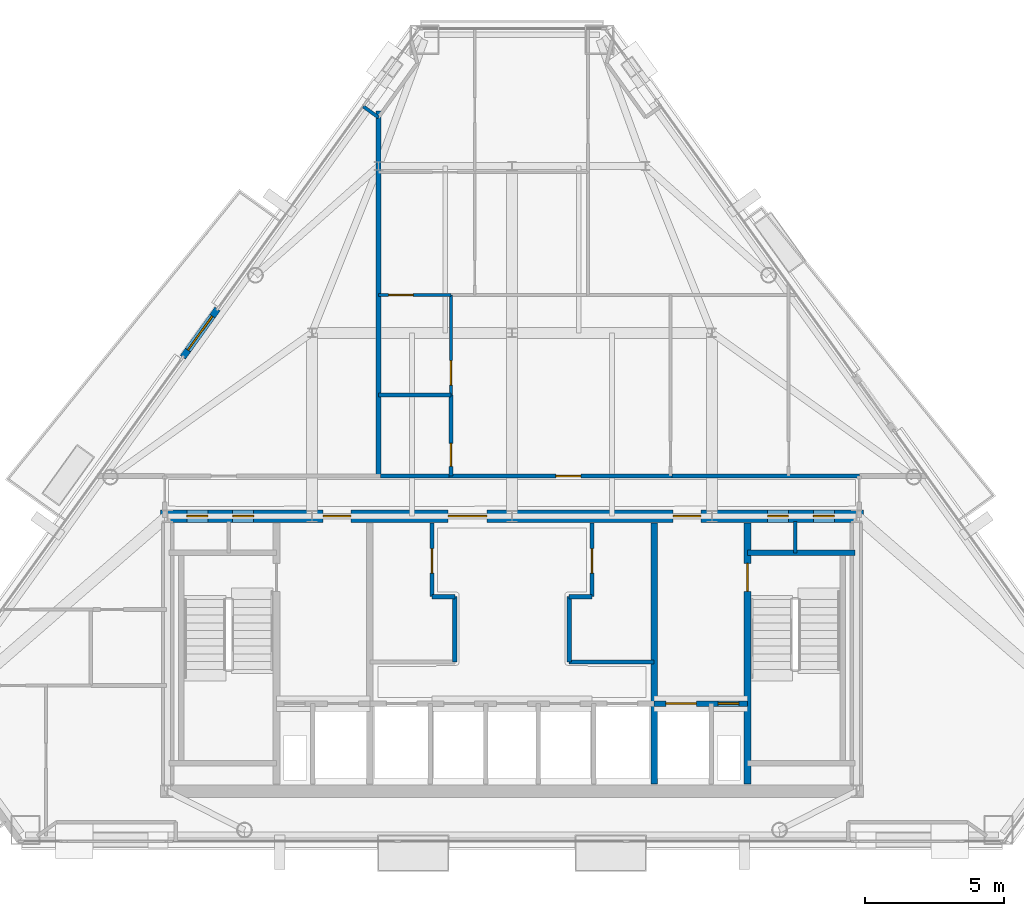
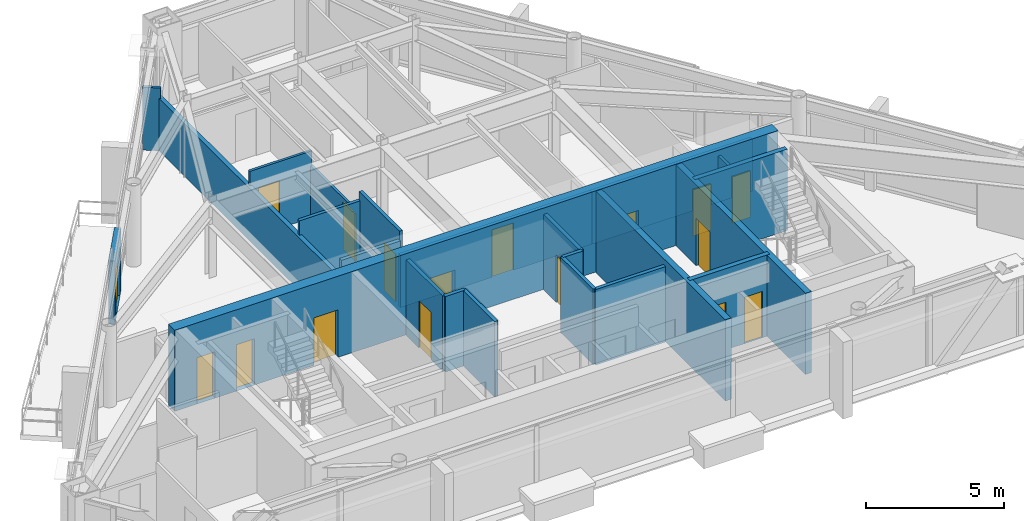
# One storey, part 8 of 11: 23 walls, 17 doors, 17 openings.
"""IFC4 building model written with IfcOpenShell, lengths in metres."""

from ifc_helpers import new_model, si_unit, direction, frame, frame_2d, origin, place, context, subcontext, project, spatial, rectangle, extrude, material, layer, layer_set, type_object, element, fill, save


model = new_model("IFC4")

# Units and contexts
model_context = context("Model", 3, precision=1e-05, world=origin(), true_north=direction((0.0, 1.0)))
body_context = subcontext(model_context, "Body", "Model", "MODEL_VIEW")
ifc_project = project(units=[si_unit("LENGTHUNIT", "METRE"), si_unit("AREAUNIT", "SQUARE_METRE"), si_unit("VOLUMEUNIT", "CUBIC_METRE"), si_unit("PLANEANGLEUNIT", "RADIAN"), si_unit("MASSUNIT", "GRAM", prefix="KILO")], contexts=[model_context])

# Site, building, storey
site_placement = place(None, origin())
site = spatial("IfcSite", under=ifc_project, at=site_placement, CompositionType="ELEMENT")
building_placement = place(site_placement, origin())
building = spatial("IfcBuilding", under=site, at=building_placement, Name="Talgorran Terracotta Tower", CompositionType="ELEMENT")
storey_placement = place(building_placement, frame((0.0, 0.0, 203.699951171875)))
storey = spatial("IfcBuildingStorey", under=building, at=storey_placement, Name="L53", CompositionType="ELEMENT", Elevation=203.699951171875)

# Wall, opening, door
ifc_material_1 = material(Name="Concrete C40/50", Category="concrete")
ifc_layer_1 = layer(ifc_material_1, 0.239990234375, Name="WT_BALCONY_SPAND")
ifc_layer_set_1 = layer_set([ifc_layer_1], Name="Concrete C40/50")
wall_type_1 = type_object("IfcWallType", Name="WT_BALCONY_SPAND", PredefinedType="STANDARD", material=ifc_layer_set_1)
wall_1_placement = place(storey_placement, frame((-10.60107421875, 3.2587890625, -0.014892578125), z_axis=(0.0, 0.0, 1.0), x_axis=(-0.583556118157, -0.812072815061, 0.0)))
wall_1 = element("IfcWall", 1, at=wall_1_placement, inside=storey, type_object=wall_type_1, Name="WL-L53-BALP-BAL-NW", PredefinedType="STANDARD", context=body_context, shape_type="SweptSolid", body=[
    extrude(rectangle(XDim=2.139892578125, YDim=0.239990234375, at=frame_2d((1.06982421875, 0.0))), origin(), (0.0, 0.0, 1.0), 2.802001953125),
])
opening_1_placement = place(wall_1_placement, frame((0.320068359375, 0.0, 0.014892578125)))
opening_1 = element("IfcOpeningElement", 2, at=opening_1_placement, cuts=wall_1, Name="Opening D-BAL-L53-2", PredefinedType="OPENING", context=body_context, shape_type="SweptSolid", body=[
    extrude(rectangle(XDim=1.506, YDim=2.203951171875, at=frame_2d((0.75, 1.10205078125))), frame((0.0, 0.1298828125, 0.0), z_axis=(0.0, -1.0, 0.0), x_axis=(1.0, 0.0, 0.0)), (0.0, 0.0, 1.0), 0.260009765625),
])
ifc_material_2 = material(Name="Thermally Broken Aluminium", Category="aluminium")
door_type_1 = type_object("IfcDoorType", Name="DT_BALC_1500", OperationType="SLIDING_TO_RIGHT", PredefinedType="DOOR", material=ifc_material_2)
door_1_placement = place(opening_1_placement, origin())
door_1 = element("IfcDoor", 3, at=door_1_placement, inside=storey, type_object=door_type_1, Name="DR-L53-BAL-BAL-NW", OperationType="SLIDING_TO_RIGHT", OverallHeight=2.199951171875, OverallWidth=1.5, PredefinedType="DOOR", context=body_context, shape_type="SweptSolid", body=[
    extrude(rectangle(XDim=1.5, YDim=2.199951171875, at=frame_2d((0.75, 1.10009765625))), frame((0.0, 0.02490234375, 0.0), z_axis=(0.0, -1.0, 0.0), x_axis=(1.0, 0.0, 0.0)), (0.0, 0.0, 1.0), 0.050048828125),
])
fill(opening_1, door_1)

# Wall
ifc_material_3 = material(Name="Concrete C50/60", Category="concrete")
ifc_layer_2 = layer(ifc_material_3, 0.199951171875, Name="WT_CORE_200")
ifc_layer_set_2 = layer_set([ifc_layer_2], Name="Concrete C50/60")
wall_type_2 = type_object("IfcWallType", Name="WT_CORE_200", PredefinedType="SOLIDWALL", material=ifc_layer_set_2)
wall_2_placement = place(storey_placement, frame((8.47998046875, -5.52001953125, 0.0), z_axis=(0.0, 0.0, 1.0), x_axis=(1.0, 0.0, 0.0)))
element("IfcWall", 4, at=wall_2_placement, inside=storey, type_object=wall_type_2, Name="WL-L53-CW-ST2-N", PredefinedType="SOLIDWALL", context=body_context, shape_type="SweptSolid", body=[
    extrude(rectangle(XDim=3.8701171875, YDim=0.199951171875, at=frame_2d((1.93505859375, 0.0))), origin(), (0.0, 0.0, 1.0), 3.60009765625),
])

# Wall, openings, doors
wall_3_placement = place(storey_placement, frame((5.1201171875, -10.949951171875, 0.0), z_axis=(0.0, 0.0, 1.0), x_axis=(1.0, 0.0, 0.0)))
wall_3 = element("IfcWall", 5, at=wall_3_placement, inside=storey, type_object=wall_type_2, Name="WL-L53-CW-H-SBE", PredefinedType="SOLIDWALL", context=body_context, shape_type="SweptSolid", body=[
    extrude(rectangle(XDim=3.35986328125, YDim=0.199951171875, at=frame_2d((1.679931640625, 0.0))), origin(), (0.0, 0.0, 1.0), 3.60009765625),
])
opening_2_placement = place(wall_3_placement, frame((0.419921875, 0.0, 0.0)))
opening_2 = element("IfcOpeningElement", 6, at=opening_2_placement, cuts=wall_3, Name="Opening LD-FFL2", PredefinedType="OPENING", context=body_context, shape_type="SweptSolid", body=[
    extrude(rectangle(XDim=1.10609765625, YDim=2.10409765625, at=frame_2d((0.550048828125, 1.052001953125))), frame((0.0, 0.10986328125, 0.0), z_axis=(0.0, -1.0, 0.0), x_axis=(1.0, 0.0, 0.0)), (0.0, 0.0, 1.0), 0.219970703125),
])
opening_3_placement = place(wall_3_placement, frame((2.300048828125, 0.0, 0.0)))
opening_3 = element("IfcOpeningElement", 7, at=opening_3_placement, cuts=wall_3, Name="Opening DR-RSE", PredefinedType="OPENING", context=body_context, shape_type="SweptSolid", body=[
    extrude(rectangle(XDim=0.756, YDim=2.054048828125, at=frame_2d((0.375, 1.027099609375))), frame((0.0, 0.10986328125, 0.0), z_axis=(0.0, -1.0, 0.0), x_axis=(1.0, 0.0, 0.0)), (0.0, 0.0, 1.0), 0.219970703125),
])
ifc_material_4 = material(Name="Brushed Stainless Steel Grade 304", Category="steel")
door_type_2 = type_object("IfcDoorType", Name="DT_LIFT_LD1100", OperationType="DOUBLE_DOOR_SLIDING", PredefinedType="DOOR", material=ifc_material_4)
door_2_placement = place(opening_2_placement, origin())
door_2 = element("IfcDoor", 8, at=door_2_placement, inside=storey, type_object=door_type_2, Name="L53 Lift Landing Door LD-FFL2", OperationType="DOUBLE_DOOR_SLIDING", OverallHeight=2.10009765625, OverallWidth=1.10009765625, PredefinedType="DOOR", context=body_context, shape_type="SweptSolid", body=[
    extrude(rectangle(XDim=1.10009765625, YDim=2.10009765625, at=frame_2d((0.550048828125, 1.050048828125))), frame((0.0, 0.02490234375, 0.0), z_axis=(0.0, -1.0, 0.0), x_axis=(1.0, 0.0, 0.0)), (0.0, 0.0, 1.0), 0.050048828125),
])
fill(opening_2, door_2)
ifc_material_5 = material(Name="Fire-Rated Pressed Steel", Category="steel")
door_type_3 = type_object("IfcDoorType", Name="DT_RISER_750", OperationType="NOTDEFINED", PredefinedType="DOOR", material=ifc_material_5)
door_3_placement = place(opening_3_placement, origin())
door_3 = element("IfcDoor", 9, at=door_3_placement, inside=storey, type_object=door_type_3, Name="DR-RSE", OperationType="SINGLE_SWING_RIGHT", OverallHeight=2.050048828125, OverallWidth=0.75, PredefinedType="DOOR", context=body_context, shape_type="SweptSolid", body=[
    extrude(rectangle(XDim=0.75, YDim=2.050048828125, at=frame_2d((0.375, 1.02490234375))), frame((0.0, 0.02490234375, 0.0), z_axis=(0.0, -1.0, 0.0), x_axis=(1.0, 0.0, 0.0)), (0.0, 0.0, 1.0), 0.050048828125),
])
fill(opening_3, door_3)

# Wall, opening, door
ifc_layer_3 = layer(ifc_material_3, 0.25, Name="WT_CORE_250")
ifc_layer_set_3 = layer_set([ifc_layer_3], Name="Concrete C50/60")
wall_type_3 = type_object("IfcWallType", Name="WT_CORE_250", PredefinedType="SHEAR", material=ifc_layer_set_3)
wall_4_placement = place(storey_placement, frame((8.47998046875, -13.85009765625, 0.0), z_axis=(0.0, 0.0, 1.0), x_axis=(0.0, 1.0, 0.0)))
wall_4 = element("IfcWall", 10, at=wall_4_placement, inside=storey, type_object=wall_type_3, Name="WL-L53-CW-V-E1", PredefinedType="SHEAR", context=body_context, shape_type="SweptSolid", body=[
    extrude(rectangle(XDim=9.400146484375, YDim=0.25, at=frame_2d((4.7001953125, 0.0))), origin(), (0.0, 0.0, 1.0), 3.60009765625),
])
opening_4_placement = place(wall_4_placement, frame((6.949951171875, 0.0, 0.0)))
opening_4 = element("IfcOpeningElement", 11, at=opening_4_placement, cuts=wall_4, Name="Opening DR-ST02", PredefinedType="OPENING", context=body_context, shape_type="SweptSolid", body=[
    extrude(rectangle(XDim=1.006, YDim=2.10409765625, at=frame_2d((0.5, 1.052001953125))), frame((0.0, 0.135009765625, 0.0), z_axis=(0.0, -1.0, 0.0), x_axis=(1.0, 0.0, 0.0)), (0.0, 0.0, 1.0), 0.27001953125),
])
door_type_4 = type_object("IfcDoorType", Name="DT_FIRE_1000", OperationType="NOTDEFINED", PredefinedType="DOOR", material=ifc_material_5)
door_4_placement = place(opening_4_placement, origin())
door_4 = element("IfcDoor", 12, at=door_4_placement, inside=storey, type_object=door_type_4, Name="DR-ST02", OperationType="SINGLE_SWING_RIGHT", OverallHeight=2.10009765625, OverallWidth=1.0, PredefinedType="DOOR", context=body_context, shape_type="SweptSolid", body=[
    extrude(rectangle(XDim=1.0, YDim=2.10009765625, at=frame_2d((0.5, 1.050048828125))), frame((0.0, 0.02490234375, 0.0), z_axis=(0.0, -1.0, 0.0), x_axis=(1.0, 0.0, 0.0)), (0.0, 0.0, 1.0), 0.050048828125),
])
fill(opening_4, door_4)

# Wall
wall_5_placement = place(storey_placement, frame((5.1201171875, -13.85009765625, 0.0), z_axis=(0.0, 0.0, 1.0), x_axis=(0.0, 1.0, 0.0)))
element("IfcWall", 13, at=wall_5_placement, inside=storey, type_object=wall_type_3, Name="WL-L53-CW-V-E2", PredefinedType="SHEAR", context=body_context, shape_type="SweptSolid", body=[
    extrude(rectangle(XDim=9.400146484375, YDim=0.25, at=frame_2d((4.7001953125, 0.0))), origin(), (0.0, 0.0, 1.0), 3.60009765625),
])

# Wall, openings, doors
ifc_material_6 = material(Name="Concrete C65/80", Category="concrete")
ifc_layer_4 = layer(ifc_material_6, 0.449951171875, Name="WT_CORE_EXT")
ifc_layer_set_4 = layer_set([ifc_layer_4], Name="Concrete C65/80")
wall_type_4 = type_object("IfcWallType", Name="WT_CORE_EXT", PredefinedType="SHEAR", material=ifc_layer_set_4)
wall_6_placement = place(storey_placement, frame((-12.64990234375, -4.199951171875, 0.0), z_axis=(0.0, 0.0, 1.0), x_axis=(1.0, 0.0, 0.0)))
wall_6 = element("IfcWall", 14, at=wall_6_placement, inside=storey, type_object=wall_type_4, Name="WL-L53-CW-OUT-N", PredefinedType="SHEAR", context=body_context, shape_type="SweptSolid", body=[
    extrude(rectangle(XDim=25.2998046875, YDim=0.449951171875, at=frame_2d((12.64990234375, 0.0))), origin(), (0.0, 0.0, 1.0), 3.60009765625),
])
opening_5_placement = place(wall_6_placement, frame((0.949951171875, 0.0, 0.0)))
opening_5 = element("IfcOpeningElement", 15, at=opening_5_placement, cuts=wall_6, Name="Opening DR-CSN1", PredefinedType="OPENING", context=body_context, shape_type="SweptSolid", body=[
    extrude(rectangle(XDim=0.756, YDim=2.054048828125, at=frame_2d((0.375, 1.027099609375))), frame((0.0, 0.23486328125, 0.0), z_axis=(0.0, -1.0, 0.0), x_axis=(1.0, 0.0, 0.0)), (0.0, 0.0, 1.0), 0.469970703125),
])
opening_6_placement = place(wall_6_placement, frame((2.60009765625, 0.0, 0.0)))
opening_6 = element("IfcOpeningElement", 16, at=opening_6_placement, cuts=wall_6, Name="Opening DR-CSN2", PredefinedType="OPENING", context=body_context, shape_type="SweptSolid", body=[
    extrude(rectangle(XDim=0.756, YDim=2.054048828125, at=frame_2d((0.375, 1.027099609375))), frame((0.0, 0.23486328125, 0.0), z_axis=(0.0, -1.0, 0.0), x_axis=(1.0, 0.0, 0.0)), (0.0, 0.0, 1.0), 0.469970703125),
])
opening_7_placement = place(wall_6_placement, frame((21.85009765625, 0.0, 0.0)))
opening_7 = element("IfcOpeningElement", 17, at=opening_7_placement, cuts=wall_6, Name="Opening DR-CSN3", PredefinedType="OPENING", context=body_context, shape_type="SweptSolid", body=[
    extrude(rectangle(XDim=0.756, YDim=2.054048828125, at=frame_2d((0.375, 1.027099609375))), frame((0.0, 0.23486328125, 0.0), z_axis=(0.0, -1.0, 0.0), x_axis=(1.0, 0.0, 0.0)), (0.0, 0.0, 1.0), 0.469970703125),
])
opening_8_placement = place(wall_6_placement, frame((23.5, 0.0, 0.0)))
opening_8 = element("IfcOpeningElement", 18, at=opening_8_placement, cuts=wall_6, Name="Opening DR-CSN4", PredefinedType="OPENING", context=body_context, shape_type="SweptSolid", body=[
    extrude(rectangle(XDim=0.756, YDim=2.054048828125, at=frame_2d((0.375, 1.027099609375))), frame((0.0, 0.23486328125, 0.0), z_axis=(0.0, -1.0, 0.0), x_axis=(1.0, 0.0, 0.0)), (0.0, 0.0, 1.0), 0.469970703125),
])
opening_9_placement = place(wall_6_placement, frame((5.85009765625, 0.0, 0.0)))
opening_9 = element("IfcOpeningElement", 19, at=opening_9_placement, cuts=wall_6, Name="Opening DR-FFLW-N", PredefinedType="OPENING", context=body_context, shape_type="SweptSolid", body=[
    extrude(rectangle(XDim=1.006, YDim=2.10409765625, at=frame_2d((0.5, 1.052001953125))), frame((0.0, 0.23486328125, 0.0), z_axis=(0.0, -1.0, 0.0), x_axis=(1.0, 0.0, 0.0)), (0.0, 0.0, 1.0), 0.469970703125),
])
opening_10_placement = place(wall_6_placement, frame((10.35009765625, 0.0, 0.0)))
opening_10 = element("IfcOpeningElement", 20, at=opening_10_placement, cuts=wall_6, Name="Opening DR-PLL-N", PredefinedType="OPENING", context=body_context, shape_type="SweptSolid", body=[
    extrude(rectangle(XDim=1.40590234375, YDim=2.15390234375, at=frame_2d((0.699951171875, 1.076904296875))), frame((0.0, 0.23486328125, 0.0), z_axis=(0.0, -1.0, 0.0), x_axis=(1.0, 0.0, 0.0)), (0.0, 0.0, 1.0), 0.469970703125),
])
opening_11_placement = place(wall_6_placement, frame((18.449951171875, 0.0, 0.0)))
opening_11 = element("IfcOpeningElement", 21, at=opening_11_placement, cuts=wall_6, Name="Opening DR-FFLE-N", PredefinedType="OPENING", context=body_context, shape_type="SweptSolid", body=[
    extrude(rectangle(XDim=1.006, YDim=2.10409765625, at=frame_2d((0.5, 1.052001953125))), frame((0.0, 0.23486328125, 0.0), z_axis=(0.0, -1.0, 0.0), x_axis=(1.0, 0.0, 0.0)), (0.0, 0.0, 1.0), 0.469970703125),
])
ifc_material_7 = material(Name="Acoustic Glazed Timber", Category="wood")
door_type_5 = type_object("IfcDoorType", Name="DT_DOUBLE_1400", OperationType="DOUBLE_DOOR_SINGLE_SWING", PredefinedType="DOOR", material=ifc_material_7)
door_5_placement = place(opening_10_placement, origin())
door_5 = element("IfcDoor", 22, at=door_5_placement, inside=storey, type_object=door_type_5, Name="DR-PLL-N", OperationType="DOUBLE_DOOR_SINGLE_SWING", OverallHeight=2.14990234375, OverallWidth=1.39990234375, PredefinedType="DOOR", context=body_context, shape_type="SweptSolid", body=[
    extrude(rectangle(XDim=1.39990234375, YDim=2.14990234375, at=frame_2d((0.699951171875, 1.074951171875))), frame((0.0, 0.02490234375, 0.0), z_axis=(0.0, -1.0, 0.0), x_axis=(1.0, 0.0, 0.0)), (0.0, 0.0, 1.0), 0.050048828125),
])
fill(opening_10, door_5)
door_6_placement = place(opening_9_placement, origin())
door_6 = element("IfcDoor", 23, at=door_6_placement, inside=storey, type_object=door_type_4, Name="DR-FFLW-N", OperationType="SINGLE_SWING_LEFT", OverallHeight=2.10009765625, OverallWidth=1.0, PredefinedType="DOOR", context=body_context, shape_type="SweptSolid", body=[
    extrude(rectangle(XDim=1.0, YDim=2.10009765625, at=frame_2d((0.5, 1.050048828125))), frame((0.0, 0.02490234375, 0.0), z_axis=(0.0, -1.0, 0.0), x_axis=(1.0, 0.0, 0.0)), (0.0, 0.0, 1.0), 0.050048828125),
])
fill(opening_9, door_6)
door_7_placement = place(opening_11_placement, origin())
door_7 = element("IfcDoor", 24, at=door_7_placement, inside=storey, type_object=door_type_4, Name="DR-FFLE-N", OperationType="SINGLE_SWING_RIGHT", OverallHeight=2.10009765625, OverallWidth=1.0, PredefinedType="DOOR", context=body_context, shape_type="SweptSolid", body=[
    extrude(rectangle(XDim=1.0, YDim=2.10009765625, at=frame_2d((0.5, 1.050048828125))), frame((0.0, 0.02490234375, 0.0), z_axis=(0.0, -1.0, 0.0), x_axis=(1.0, 0.0, 0.0)), (0.0, 0.0, 1.0), 0.050048828125),
])
fill(opening_11, door_7)
door_8_placement = place(opening_5_placement, origin())
door_8 = element("IfcDoor", 25, at=door_8_placement, inside=storey, type_object=door_type_3, Name="DR-CSN1", OperationType="SINGLE_SWING_LEFT", OverallHeight=2.050048828125, OverallWidth=0.75, PredefinedType="DOOR", context=body_context, shape_type="SweptSolid", body=[
    extrude(rectangle(XDim=0.75, YDim=2.050048828125, at=frame_2d((0.375, 1.02490234375))), frame((0.0, 0.02490234375, 0.0), z_axis=(0.0, -1.0, 0.0), x_axis=(1.0, 0.0, 0.0)), (0.0, 0.0, 1.0), 0.050048828125),
])
fill(opening_5, door_8)
door_9_placement = place(opening_6_placement, origin())
door_9 = element("IfcDoor", 26, at=door_9_placement, inside=storey, type_object=door_type_3, Name="DR-CSN2", OperationType="SINGLE_SWING_RIGHT", OverallHeight=2.050048828125, OverallWidth=0.75, PredefinedType="DOOR", context=body_context, shape_type="SweptSolid", body=[
    extrude(rectangle(XDim=0.75, YDim=2.050048828125, at=frame_2d((0.375, 1.02490234375))), frame((0.0, 0.02490234375, 0.0), z_axis=(0.0, -1.0, 0.0), x_axis=(1.0, 0.0, 0.0)), (0.0, 0.0, 1.0), 0.050048828125),
])
fill(opening_6, door_9)
door_10_placement = place(opening_7_placement, origin())
door_10 = element("IfcDoor", 27, at=door_10_placement, inside=storey, type_object=door_type_3, Name="DR-CSN3", OperationType="SINGLE_SWING_LEFT", OverallHeight=2.050048828125, OverallWidth=0.75, PredefinedType="DOOR", context=body_context, shape_type="SweptSolid", body=[
    extrude(rectangle(XDim=0.75, YDim=2.050048828125, at=frame_2d((0.375, 1.02490234375))), frame((0.0, 0.02490234375, 0.0), z_axis=(0.0, -1.0, 0.0), x_axis=(1.0, 0.0, 0.0)), (0.0, 0.0, 1.0), 0.050048828125),
])
fill(opening_7, door_10)
door_11_placement = place(opening_8_placement, origin())
door_11 = element("IfcDoor", 28, at=door_11_placement, inside=storey, type_object=door_type_3, Name="DR-CSN4", OperationType="SINGLE_SWING_RIGHT", OverallHeight=2.050048828125, OverallWidth=0.75, PredefinedType="DOOR", context=body_context, shape_type="SweptSolid", body=[
    extrude(rectangle(XDim=0.75, YDim=2.050048828125, at=frame_2d((0.375, 1.02490234375))), frame((0.0, 0.02490234375, 0.0), z_axis=(0.0, -1.0, 0.0), x_axis=(1.0, 0.0, 0.0)), (0.0, 0.0, 1.0), 0.050048828125),
])
fill(opening_8, door_11)

# Walls
ifc_material_8 = material(Name="Fire-Rated Steel Stud Plasterboard", Category="steel")
ifc_layer_5 = layer(ifc_material_8, 0.14990234375, Name="WT_FIRE_150")
ifc_layer_set_5 = layer_set([ifc_layer_5], Name="Fire-Rated Steel Stud Plasterboard")
wall_type_5 = type_object("IfcWallType", Name="WT_FIRE_150", PredefinedType="PARTITIONING", material=ifc_layer_set_5)
wall_7_placement = place(storey_placement, frame((-2.06005859375, -9.449951171875, 0.0), z_axis=(0.0, 0.0, 1.0), x_axis=(0.0, 1.0, 0.0)))
element("IfcWall", 29, at=wall_7_placement, inside=storey, type_object=wall_type_5, Name="WL-L53-CW-V-W3S2", PredefinedType="PARTITIONING", context=body_context, shape_type="SweptSolid", body=[
    extrude(rectangle(XDim=2.349853515625, YDim=0.14990234375, at=frame_2d((1.1748046875, 0.0))), origin(), (0.0, 0.0, 1.0), 3.344970703125),
])
wall_8_placement = place(storey_placement, frame((-2.8798828125, -7.10009765625, 0.0), z_axis=(0.0, 0.0, 1.0), x_axis=(1.0, 0.0, 0.0)))
element("IfcWall", 30, at=wall_8_placement, inside=storey, type_object=wall_type_5, Name="WL-L53-CW-H-W3M2", PredefinedType="PARTITIONING", context=body_context, shape_type="SweptSolid", body=[
    extrude(rectangle(XDim=0.81982421875, YDim=0.14990234375, at=frame_2d((0.409912109375, 0.0))), origin(), (0.0, 0.0, 1.0), 3.344970703125),
])

# Wall, opening, door
wall_9_placement = place(storey_placement, frame((-2.8798828125, -7.10009765625, 0.0), z_axis=(0.0, 0.0, 1.0), x_axis=(0.0, 1.0, 0.0)))
wall_9 = element("IfcWall", 31, at=wall_9_placement, inside=storey, type_object=wall_type_5, Name="WL-L53-CW-V-W3N", PredefinedType="PARTITIONING", context=body_context, shape_type="SweptSolid", body=[
    extrude(rectangle(XDim=2.650146484375, YDim=0.14990234375, at=frame_2d((1.3251953125, 0.0))), origin(), (0.0, 0.0, 1.0), 3.344970703125),
])
opening_12_placement = place(wall_9_placement, frame((0.85009765625, 0.0, 0.0)))
opening_12 = element("IfcOpeningElement", 32, at=opening_12_placement, cuts=wall_9, Name="Opening DR-FRPLL-B", PredefinedType="OPENING", context=body_context, shape_type="SweptSolid", body=[
    extrude(rectangle(XDim=0.8858828125, YDim=2.10409765625, at=frame_2d((0.43994140625, 1.052001953125))), frame((0.0, 0.0849609375, 0.0), z_axis=(0.0, -1.0, 0.0), x_axis=(1.0, 0.0, 0.0)), (0.0, 0.0, 1.0), 0.169921875),
])
ifc_material_9 = material(Name="Solid-Core Painted Timber", Category="wood")
door_type_6 = type_object("IfcDoorType", Name="DT_INT_880", OperationType="NOTDEFINED", PredefinedType="DOOR", material=ifc_material_9)
door_12_placement = place(opening_12_placement, origin())
door_12 = element("IfcDoor", 33, at=door_12_placement, inside=storey, type_object=door_type_6, Name="DR-FRPLL-B", OperationType="SINGLE_SWING_LEFT", OverallHeight=2.10009765625, OverallWidth=0.8798828125, PredefinedType="DOOR", context=body_context, shape_type="SweptSolid", body=[
    extrude(rectangle(XDim=0.8798828125, YDim=2.10009765625, at=frame_2d((0.43994140625, 1.050048828125))), frame((0.0, 0.02490234375, 0.0), z_axis=(0.0, -1.0, 0.0), x_axis=(1.0, 0.0, 0.0)), (0.0, 0.0, 1.0), 0.050048828125),
])
fill(opening_12, door_12)

# Walls
wall_10_placement = place(storey_placement, frame((2.06005859375, -9.449951171875, 0.0), z_axis=(0.0, 0.0, 1.0), x_axis=(1.0, 0.0, 0.0)))
element("IfcWall", 34, at=wall_10_placement, inside=storey, type_object=wall_type_5, Name="WL-L53-CW-H-E4N", PredefinedType="PARTITIONING", context=body_context, shape_type="SweptSolid", body=[
    extrude(rectangle(XDim=3.06005859375, YDim=0.14990234375, at=frame_2d((1.530029296875, 0.0))), origin(), (0.0, 0.0, 1.0), 3.344970703125),
])
wall_11_placement = place(storey_placement, frame((2.06005859375, -9.449951171875, 0.0), z_axis=(0.0, 0.0, 1.0), x_axis=(0.0, 1.0, 0.0)))
element("IfcWall", 35, at=wall_11_placement, inside=storey, type_object=wall_type_5, Name="WL-L53-CW-V-E3S2", PredefinedType="PARTITIONING", context=body_context, shape_type="SweptSolid", body=[
    extrude(rectangle(XDim=2.349853515625, YDim=0.14990234375, at=frame_2d((1.1748046875, 0.0))), origin(), (0.0, 0.0, 1.0), 3.344970703125),
])
wall_12_placement = place(storey_placement, frame((2.06005859375, -7.10009765625, 0.0), z_axis=(0.0, 0.0, 1.0), x_axis=(1.0, 0.0, 0.0)))
element("IfcWall", 36, at=wall_12_placement, inside=storey, type_object=wall_type_5, Name="WL-L53-CW-H-E3M2", PredefinedType="PARTITIONING", context=body_context, shape_type="SweptSolid", body=[
    extrude(rectangle(XDim=0.81982421875, YDim=0.14990234375, at=frame_2d((0.409912109375, 0.0))), origin(), (0.0, 0.0, 1.0), 3.344970703125),
])

# Wall, opening, door
wall_13_placement = place(storey_placement, frame((2.8798828125, -7.10009765625, 0.0), z_axis=(0.0, 0.0, 1.0), x_axis=(0.0, 1.0, 0.0)))
wall_13 = element("IfcWall", 37, at=wall_13_placement, inside=storey, type_object=wall_type_5, Name="WL-L53-CW-V-E3N", PredefinedType="PARTITIONING", context=body_context, shape_type="SweptSolid", body=[
    extrude(rectangle(XDim=2.650146484375, YDim=0.14990234375, at=frame_2d((1.3251953125, 0.0))), origin(), (0.0, 0.0, 1.0), 3.344970703125),
])
opening_13_placement = place(wall_13_placement, frame((0.85009765625, 0.0, 0.0)))
opening_13 = element("IfcOpeningElement", 38, at=opening_13_placement, cuts=wall_13, Name="Opening DR-FRPLM-B", PredefinedType="OPENING", context=body_context, shape_type="SweptSolid", body=[
    extrude(rectangle(XDim=0.8858828125, YDim=2.10409765625, at=frame_2d((0.43994140625, 1.052001953125))), frame((0.0, 0.0849609375, 0.0), z_axis=(0.0, -1.0, 0.0), x_axis=(1.0, 0.0, 0.0)), (0.0, 0.0, 1.0), 0.169921875),
])
door_13_placement = place(opening_13_placement, origin())
door_13 = element("IfcDoor", 39, at=door_13_placement, inside=storey, type_object=door_type_6, Name="DR-FRPLM-B", OperationType="SINGLE_SWING_RIGHT", OverallHeight=2.10009765625, OverallWidth=0.8798828125, PredefinedType="DOOR", context=body_context, shape_type="SweptSolid", body=[
    extrude(rectangle(XDim=0.8798828125, YDim=2.10009765625, at=frame_2d((0.43994140625, 1.050048828125))), frame((0.0, 0.02490234375, 0.0), z_axis=(0.0, -1.0, 0.0), x_axis=(1.0, 0.0, 0.0)), (0.0, 0.0, 1.0), 0.050048828125),
])
fill(opening_13, door_13)

wall_14_placement = place(storey_placement, frame((-2.260009765625, -2.760009765625, 0.0), z_axis=(0.0, 0.0, 1.0), x_axis=(1.0, 0.0, 0.0)))
wall_14 = element("IfcWall", 40, at=wall_14_placement, inside=storey, type_object=wall_type_5, Name="WL-L53-W-L53-R05", PredefinedType="PARTITIONING", context=body_context, shape_type="SweptSolid", body=[
    extrude(rectangle(XDim=8.02001953125, YDim=0.14990234375, at=frame_2d((4.010009765625, 0.0))), origin(), (0.0, 0.0, 1.0), 2.320068359375),
])
opening_14_placement = place(wall_14_placement, frame((3.840087890625, 0.0, 0.0)))
opening_14 = element("IfcOpeningElement", 41, at=opening_14_placement, cuts=wall_14, Name="Opening DR-L53-R10", PredefinedType="OPENING", context=body_context, shape_type="SweptSolid", body=[
    extrude(rectangle(XDim=0.90590234375, YDim=2.10409765625, at=frame_2d((0.449951171875, 1.052001953125))), frame((0.0, 0.0849609375, 0.0), z_axis=(0.0, -1.0, 0.0), x_axis=(1.0, 0.0, 0.0)), (0.0, 0.0, 1.0), 0.169921875),
])
ifc_material_10 = material(Name="Fire-Rated Timber Core", Category="wood")
door_type_7 = type_object("IfcDoorType", Name="DT_FIRE_900", OperationType="NOTDEFINED", PredefinedType="DOOR", material=ifc_material_10)
door_14_placement = place(opening_14_placement, origin())
door_14 = element("IfcDoor", 42, at=door_14_placement, inside=storey, type_object=door_type_7, Name="DR-L53-R10", OperationType="SINGLE_SWING_RIGHT", OverallHeight=2.10009765625, OverallWidth=0.89990234375, PredefinedType="DOOR", context=body_context, shape_type="SweptSolid", body=[
    extrude(rectangle(XDim=0.89990234375, YDim=2.10009765625, at=frame_2d((0.449951171875, 1.050048828125))), frame((0.0, 0.02490234375, 0.0), z_axis=(0.0, -1.0, 0.0), x_axis=(1.0, 0.0, 0.0)), (0.0, 0.0, 1.0), 0.050048828125),
])
fill(opening_14, door_14)

# Walls
wall_15_placement = place(storey_placement, frame((5.761962890625, -2.760009765625, 0.0), z_axis=(0.0, 0.0, 1.0), x_axis=(1.0, 0.0, 0.0)))
element("IfcWall", 43, at=wall_15_placement, inside=storey, type_object=wall_type_5, Name="WL-L53-W-L53-R06", PredefinedType="PARTITIONING", context=body_context, shape_type="SweptSolid", body=[
    extrude(rectangle(XDim=6.738037109375, YDim=0.14990234375, at=frame_2d((3.369140625, 0.0))), origin(), (0.0, 0.0, 1.0), 2.320068359375),
])
wall_16_placement = place(storey_placement, frame((-4.738037109375, -2.760009765625, 0.0), z_axis=(0.0, 0.0, 1.0), x_axis=(1.0, 0.0, 0.0)))
element("IfcWall", 44, at=wall_16_placement, inside=storey, type_object=wall_type_5, Name="WL-L53-W-L53-R04", PredefinedType="PARTITIONING", context=body_context, shape_type="SweptSolid", body=[
    extrude(rectangle(XDim=2.47607421875, YDim=0.14990234375, at=frame_2d((1.238037109375, 0.0))), origin(), (0.0, 0.0, 1.0), 2.96435546875),
])
ifc_material_11 = material(Name="Acoustic Stud and Plasterboard")
ifc_layer_6 = layer(ifc_material_11, 0.179931640625, Name="WT_PARTY_200")
ifc_layer_set_6 = layer_set([ifc_layer_6], Name="Acoustic Stud and Plasterboard")
wall_type_6 = type_object("IfcWallType", Name="WT_PARTY_200", PredefinedType="PARTITIONING", material=ifc_layer_set_6)
wall_17_placement = place(storey_placement, frame((-4.800048828125, -2.760009765625, 0.0), z_axis=(0.0, 0.0, 1.0), x_axis=(0.0, 1.0, 0.0)))
element("IfcWall", 45, at=wall_17_placement, inside=storey, type_object=wall_type_6, Name="WL-L53-W-L53-R19", PredefinedType="PARTITIONING", context=body_context, shape_type="SweptSolid", body=[
    extrude(rectangle(XDim=13.139892578125, YDim=0.179931640625, at=frame_2d((6.56982421875, 0.0))), origin(), (0.0, 0.0, 1.0), 2.320068359375),
])

# Wall, opening, door
ifc_material_12 = material(Name="Lightweight Steel Stud Partition", Category="steel")
ifc_layer_7 = layer(ifc_material_12, 0.10498046875, Name="WT_PART_110")
ifc_layer_set_7 = layer_set([ifc_layer_7], Name="Lightweight Steel Stud Partition")
wall_type_7 = type_object("IfcWallType", Name="WT_PART_110", PredefinedType="PARTITIONING", material=ifc_layer_set_7)
wall_18_placement = place(storey_placement, frame((-2.199951171875, 0.159912109375, 0.0), z_axis=(0.0, 0.0, 1.0), x_axis=(0.0, 1.0, 0.0)))
wall_18 = element("IfcWall", 46, at=wall_18_placement, inside=storey, type_object=wall_type_7, Name="WL-L53-W-L53-R23", PredefinedType="PARTITIONING", context=body_context, shape_type="SweptSolid", body=[
    extrude(rectangle(XDim=3.60009765625, YDim=0.10498046875, at=frame_2d((1.800048828125, 0.0))), origin(), (0.0, 0.0, 1.0), 2.320068359375),
])
opening_15_placement = place(wall_18_placement, frame((0.360107421875, 0.0, 0.0)))
opening_15 = element("IfcOpeningElement", 47, at=opening_15_placement, cuts=wall_18, Name="Opening DR-L53-R09", PredefinedType="OPENING", context=body_context, shape_type="SweptSolid", body=[
    extrude(rectangle(XDim=0.8858828125, YDim=2.10409765625, at=frame_2d((0.43994140625, 1.052001953125))), frame((0.0, 0.0625, 0.0), z_axis=(0.0, -1.0, 0.0), x_axis=(1.0, 0.0, 0.0)), (0.0, 0.0, 1.0), 0.125),
])
door_15_placement = place(opening_15_placement, origin())
door_15 = element("IfcDoor", 48, at=door_15_placement, inside=storey, type_object=door_type_6, Name="DR-L53-R09", OperationType="SINGLE_SWING_LEFT", OverallHeight=2.10009765625, OverallWidth=0.8798828125, PredefinedType="DOOR", context=body_context, shape_type="SweptSolid", body=[
    extrude(rectangle(XDim=0.8798828125, YDim=2.10009765625, at=frame_2d((0.43994140625, 1.050048828125))), frame((0.0, 0.02490234375, 0.0), z_axis=(0.0, -1.0, 0.0), x_axis=(1.0, 0.0, 0.0)), (0.0, 0.0, 1.0), 0.050048828125),
])
fill(opening_15, door_15)

wall_19_placement = place(storey_placement, frame((-4.800048828125, 3.760009765625, 0.0), z_axis=(0.0, 0.0, 1.0), x_axis=(1.0, 0.0, 0.0)))
wall_19 = element("IfcWall", 49, at=wall_19_placement, inside=storey, type_object=wall_type_7, Name="WL-L53-W-L53-R24", PredefinedType="PARTITIONING", context=body_context, shape_type="SweptSolid", body=[
    extrude(rectangle(XDim=2.60009765625, YDim=0.10498046875, at=frame_2d((1.300048828125, 0.0))), origin(), (0.0, 0.0, 1.0), 2.96435546875),
])
opening_16_placement = place(wall_19_placement, frame((0.360107421875, 0.0, 0.0)))
opening_16 = element("IfcOpeningElement", 50, at=opening_16_placement, cuts=wall_19, Name="Opening DR-L53-R17", PredefinedType="OPENING", context=body_context, shape_type="SweptSolid", body=[
    extrude(rectangle(XDim=0.8858828125, YDim=2.10409765625, at=frame_2d((0.43994140625, 1.052001953125))), frame((0.0, 0.0625, 0.0), z_axis=(0.0, -1.0, 0.0), x_axis=(1.0, 0.0, 0.0)), (0.0, 0.0, 1.0), 0.125),
])
door_16_placement = place(opening_16_placement, origin())
door_16 = element("IfcDoor", 51, at=door_16_placement, inside=storey, type_object=door_type_6, Name="DR-L53-R17", OperationType="SINGLE_SWING_LEFT", OverallHeight=2.10009765625, OverallWidth=0.8798828125, PredefinedType="DOOR", context=body_context, shape_type="SweptSolid", body=[
    extrude(rectangle(XDim=0.8798828125, YDim=2.10009765625, at=frame_2d((0.43994140625, 1.050048828125))), frame((0.0, 0.02490234375, 0.0), z_axis=(0.0, -1.0, 0.0), x_axis=(1.0, 0.0, 0.0)), (0.0, 0.0, 1.0), 0.050048828125),
])
fill(opening_16, door_16)

# Walls
ifc_material_13 = material(Name="Insulated Steel Stud Plasterboard", Category="steel")
ifc_layer_8 = layer(ifc_material_13, 0.1201171875, Name="WT_PART_120")
ifc_layer_set_8 = layer_set([ifc_layer_8], Name="Insulated Steel Stud Plasterboard")
wall_type_8 = type_object("IfcWallType", Name="WT_PART_120", PredefinedType="PARTITIONING", material=ifc_layer_set_8)
wall_20_placement = place(storey_placement, frame((10.199951171875, -5.52001953125, 0.0), z_axis=(0.0, 0.0, 1.0), x_axis=(0.0, 1.0, 0.0)))
element("IfcWall", 52, at=wall_20_placement, inside=storey, type_object=wall_type_8, Name="WL-L53-CW-CSE-DIV", PredefinedType="PARTITIONING", context=body_context, shape_type="SweptSolid", body=[
    extrude(rectangle(XDim=1.1201171875, YDim=0.1201171875, at=frame_2d((0.56005859375, 0.0))), origin(), (0.0, 0.0, 1.0), 3.344970703125),
])
wall_21_placement = place(storey_placement, frame((-4.80810546875, 10.155029296875, 0.0), z_axis=(0.0, 0.0, 1.0), x_axis=(-0.811907418628, 0.583786213932, 0.0)))
element("IfcWall", 53, at=wall_21_placement, inside=storey, type_object=wall_type_8, Name="WL-L53-BW-L53-15", PredefinedType="PARTITIONING", context=body_context, shape_type="SweptSolid", body=[
    extrude(rectangle(XDim=0.669921875, YDim=0.1201171875, at=frame_2d((0.3349609375, 0.0))), origin(), (0.0, 0.0, 1.0), 2.787109375),
])

# Wall, opening, door
ifc_material_14 = material(Name="Moisture-Resistant Stud Wall")
ifc_layer_9 = layer(ifc_material_14, 0.135009765625, Name="WT_PART_135")
ifc_layer_set_9 = layer_set([ifc_layer_9], Name="Moisture-Resistant Stud Wall")
wall_type_9 = type_object("IfcWallType", Name="WT_PART_135", PredefinedType="PARTITIONING", material=ifc_layer_set_9)
wall_22_placement = place(storey_placement, frame((-2.199951171875, -2.760009765625, 0.0), z_axis=(0.0, 0.0, 1.0), x_axis=(0.0, 1.0, 0.0)))
wall_22 = element("IfcWall", 54, at=wall_22_placement, inside=storey, type_object=wall_type_9, Name="WL-L53-W-L53-R22", PredefinedType="PARTITIONING", context=body_context, shape_type="SweptSolid", body=[
    extrude(rectangle(XDim=2.919921875, YDim=0.135009765625, at=frame_2d((1.4599609375, 0.0))), origin(), (0.0, 0.0, 1.0), 3.344970703125),
])
opening_17_placement = place(wall_22_placement, frame((0.357421875, 0.0, 0.0)))
opening_17 = element("IfcOpeningElement", 55, at=opening_17_placement, cuts=wall_22, Name="Opening DR-L53-R08", PredefinedType="OPENING", context=body_context, shape_type="SweptSolid", body=[
    extrude(rectangle(XDim=0.826068359375, YDim=2.10409765625, at=frame_2d((0.41015625, 1.052001953125))), frame((0.0, 0.07763671875, 0.0), z_axis=(0.0, -1.0, 0.0), x_axis=(1.0, 0.0, 0.0)), (0.0, 0.0, 1.0), 0.155029296875),
])
ifc_material_15 = material(Name="Moisture-Resistant Solid Timber", Category="wood")
door_type_8 = type_object("IfcDoorType", Name="DT_INT_820", OperationType="NOTDEFINED", PredefinedType="DOOR", material=ifc_material_15)
door_17_placement = place(opening_17_placement, origin())
door_17 = element("IfcDoor", 56, at=door_17_placement, inside=storey, type_object=door_type_8, Name="DR-L53-R08", OperationType="SINGLE_SWING_RIGHT", OverallHeight=2.10009765625, OverallWidth=0.820068359375, PredefinedType="DOOR", context=body_context, shape_type="SweptSolid", body=[
    extrude(rectangle(XDim=0.820068359375, YDim=2.10009765625, at=frame_2d((0.41015625, 1.050048828125))), frame((0.0, 0.02490234375, 0.0), z_axis=(0.0, -1.0, 0.0), x_axis=(1.0, 0.0, 0.0)), (0.0, 0.0, 1.0), 0.050048828125),
])
fill(opening_17, door_17)

# Wall
wall_23_placement = place(storey_placement, frame((-4.800048828125, 0.159912109375, 0.0), z_axis=(0.0, 0.0, 1.0), x_axis=(1.0, 0.0, 0.0)))
element("IfcWall", 57, at=wall_23_placement, inside=storey, type_object=wall_type_9, Name="WL-L53-W-L53-R21", PredefinedType="PARTITIONING", context=body_context, shape_type="SweptSolid", body=[
    extrude(rectangle(XDim=2.60009765625, YDim=0.135009765625, at=frame_2d((1.300048828125, 0.0))), origin(), (0.0, 0.0, 1.0), 2.96435546875),
])

save(model, "model.ifc")
